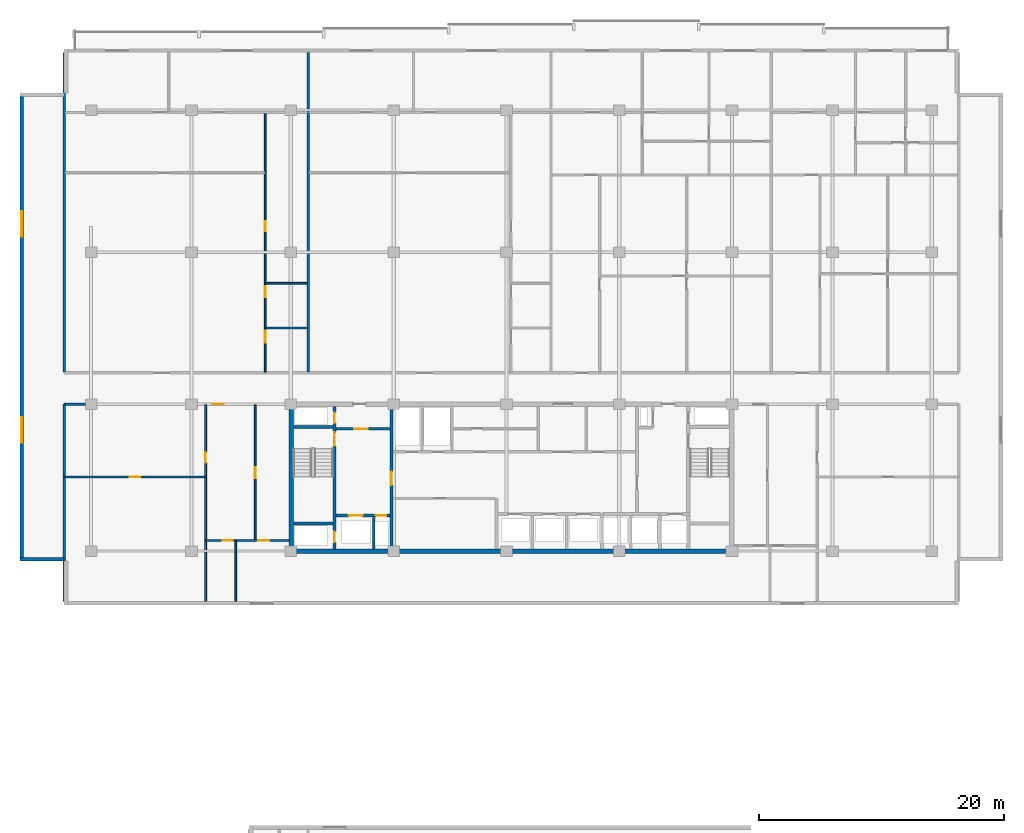
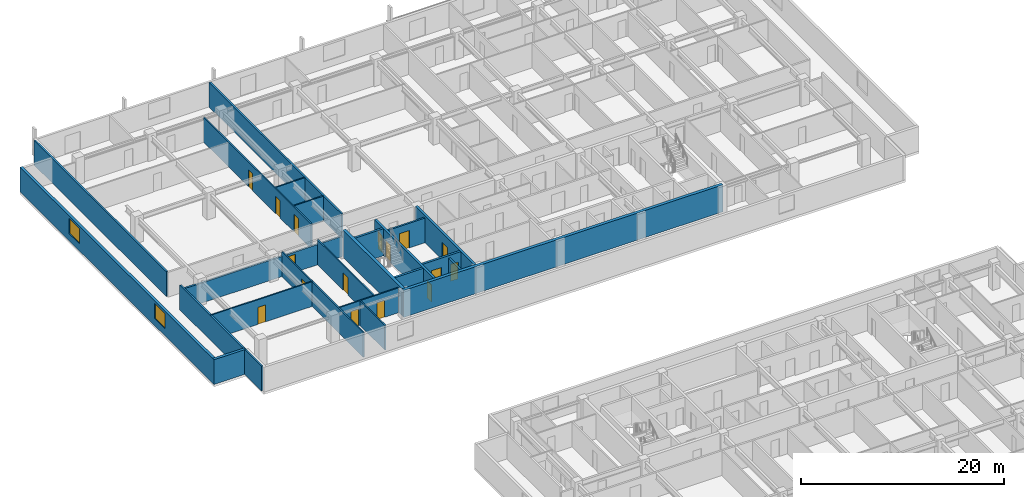
# One storey, part 10 of 21: 23 walls, 16 doors, 2 windows, 18 openings.
"""IFC4 building model written with IfcOpenShell, lengths in metres."""

from ifc_helpers import new_model, si_unit, direction, frame, frame_2d, origin, place, context, subcontext, project, spatial, rectangle, extrude, material, layer, layer_set, type_object, element, fill, save


model = new_model("IFC4")

# Units and contexts
model_context = context("Model", 3, precision=1e-05, world=origin(), true_north=direction((0.0, 1.0)))
body_context = subcontext(model_context, "Body", "Model", "MODEL_VIEW")
ifc_project = project(units=[si_unit("LENGTHUNIT", "METRE"), si_unit("AREAUNIT", "SQUARE_METRE"), si_unit("VOLUMEUNIT", "CUBIC_METRE"), si_unit("PLANEANGLEUNIT", "RADIAN"), si_unit("MASSUNIT", "GRAM", prefix="KILO")], contexts=[model_context])

# Site, building, storey
site_placement = place(None, origin())
site = spatial("IfcSite", under=ifc_project, at=site_placement, CompositionType="ELEMENT")
building_placement = place(site_placement, origin())
building = spatial("IfcBuilding", under=site, at=building_placement, Name="Korimba Cascade Residences", CompositionType="ELEMENT")
storey_placement = place(building_placement, frame((0.0, 0.0, 123.050048828125)))
storey = spatial("IfcBuildingStorey", under=building, at=storey_placement, Name="L35", CompositionType="ELEMENT", Elevation=123.050048828125)

# Wall, openings, windows
ifc_material_1 = material(Name="Precast concrete C40/50", Category="concrete")
ifc_layer_1 = layer(ifc_material_1, 0.300048828125)
ifc_layer_set_1 = layer_set([ifc_layer_1], Name="Precast concrete C40/50")
wall_type_1 = type_object("IfcWallType", Name="EW-STONE-300", PredefinedType="STANDARD", material=ifc_layer_set_1)
wall_1_placement = place(storey_placement, frame((54.14990234375, 92.60009765625, 0.0), z_axis=(0.0, 0.0, 1.0), x_axis=(0.0, -1.0, 0.0)))
wall_1 = element("IfcWall", 1, at=wall_1_placement, inside=storey, type_object=wall_type_1, Name="L35 T1 Perimeter Stone Wall E09", PredefinedType="STANDARD", context=body_context, shape_type="SweptSolid", body=[
    extrude(rectangle(XDim=38.2001953125, YDim=0.300048828125, at=frame_2d((19.10009765625, 0.0))), origin(), (0.0, 0.0, 1.0), 2.969970703125),
])
opening_1_placement = place(wall_1_placement, frame((9.64599609375, 0.0, 0.85009765625)))
opening_1 = element("IfcOpeningElement", 2, at=opening_1_placement, cuts=wall_1, Name="Opening W-03", PredefinedType="OPENING", context=body_context, shape_type="SweptSolid", body=[
    extrude(rectangle(XDim=2.10009765625, YDim=1.85009765625, at=frame_2d((1.050048828125, 0.925048828125))), frame((0.0, 0.16015625, 0.0), z_axis=(0.0, -1.0, 0.0), x_axis=(1.0, 0.0, 0.0)), (0.0, 0.0, 1.0), 0.320068359375),
])
opening_2_placement = place(wall_1_placement, frame((26.4541015625, 0.0, 0.85009765625)))
opening_2 = element("IfcOpeningElement", 3, at=opening_2_placement, cuts=wall_1, Name="Opening W-03", PredefinedType="OPENING", context=body_context, shape_type="SweptSolid", body=[
    extrude(rectangle(XDim=2.10009765625, YDim=1.85009765625, at=frame_2d((1.050048828125, 0.925048828125))), frame((0.0, 0.16015625, 0.0), z_axis=(0.0, -1.0, 0.0), x_axis=(1.0, 0.0, 0.0)), (0.0, 0.0, 1.0), 0.320068359375),
])
ifc_material_2 = material(Name="Double-Glazed Aluminium Window", Category="aluminium")
window_type = type_object("IfcWindowType", Name="WIN-CRN-2100", PartitioningType="DOUBLE_PANEL_HORIZONTAL", PredefinedType="WINDOW", material=ifc_material_2)
window_1_placement = place(opening_1_placement, origin())
window_1 = element("IfcWindow", 4, at=window_1_placement, inside=storey, type_object=window_type, Name="L35 T1 End View Window 9.1", OverallHeight=1.85009765625, OverallWidth=2.10009765625, PartitioningType="DOUBLE_PANEL_HORIZONTAL", PredefinedType="WINDOW", context=body_context, shape_type="SweptSolid", body=[
    extrude(rectangle(XDim=2.10009765625, YDim=1.85009765625, at=frame_2d((1.050048828125, 0.925048828125))), frame((0.0, 0.030029296875, 0.0), z_axis=(0.0, -1.0, 0.0), x_axis=(1.0, 0.0, 0.0)), (0.0, 0.0, 1.0), 0.06005859375),
])
fill(opening_1, window_1)
window_2_placement = place(opening_2_placement, origin())
window_2 = element("IfcWindow", 5, at=window_2_placement, inside=storey, type_object=window_type, Name="L35 T1 End View Window 9.2", OverallHeight=1.85009765625, OverallWidth=2.10009765625, PartitioningType="DOUBLE_PANEL_HORIZONTAL", PredefinedType="WINDOW", context=body_context, shape_type="SweptSolid", body=[
    extrude(rectangle(XDim=2.10009765625, YDim=1.85009765625, at=frame_2d((1.050048828125, 0.925048828125))), frame((0.0, 0.030029296875, 0.0), z_axis=(0.0, -1.0, 0.0), x_axis=(1.0, 0.0, 0.0)), (0.0, 0.0, 1.0), 0.06005859375),
])
fill(opening_2, window_2)

# Walls
wall_2_placement = place(storey_placement, frame((54.0, 54.550048828125, 0.0), z_axis=(0.0, 0.0, 1.0), x_axis=(1.0, 0.0, 0.0)))
element("IfcWall", 6, at=wall_2_placement, inside=storey, type_object=wall_type_1, Name="L35 T1 Perimeter Stone Wall E10", PredefinedType="STANDARD", context=body_context, shape_type="SweptSolid", body=[
    extrude(rectangle(XDim=3.60009765625, YDim=0.300048828125, at=frame_2d((1.800048828125, 0.0))), origin(), (0.0, 0.0, 1.0), 2.969970703125),
])
ifc_material_3 = material(Name="Concrete C65/80", Category="concrete")
ifc_layer_2 = layer(ifc_material_3, 0.35009765625)
ifc_layer_set_2 = layer_set([ifc_layer_2], Name="Concrete C65/80")
wall_type_2 = type_object("IfcWallType", Name="WAL-CORE-350", PredefinedType="SHEAR", material=ifc_layer_set_2)
wall_3_placement = place(storey_placement, frame((75.949951171875, 55.199951171875, 0.0), z_axis=(0.0, 0.0, 1.0), x_axis=(1.0, 0.0, 0.0)))
element("IfcWall", 7, at=wall_3_placement, inside=storey, type_object=wall_type_2, Name="L35 Core Shear Wall CW-L35-T1-S", PredefinedType="SHEAR", context=body_context, shape_type="SweptSolid", body=[
    extrude(rectangle(XDim=36.300048828125, YDim=0.35009765625, at=frame_2d((18.14990234375, 0.0))), origin(), (0.0, 0.0, 1.0), 3.25),
])
wall_4_placement = place(storey_placement, frame((76.125, 55.375, 0.0), z_axis=(0.0, 0.0, 1.0), x_axis=(0.0, 1.0, 0.0)))
element("IfcWall", 8, at=wall_4_placement, inside=storey, type_object=wall_type_2, Name="L35 Core Shear Wall CW-L35-T1-W", PredefinedType="SHEAR", context=body_context, shape_type="SweptSolid", body=[
    extrude(rectangle(XDim=11.64990234375, YDim=0.35009765625, at=frame_2d((5.824951171875, 0.0))), origin(), (0.0, 0.0, 1.0), 3.25),
])
ifc_layer_3 = layer(ifc_material_1, 0.199951171875)
ifc_layer_set_3 = layer_set([ifc_layer_3], Name="Precast concrete C40/50")
wall_type_3 = type_object("IfcWallType", Name="WAL-IT-200", PredefinedType="PARTITIONING", material=ifc_layer_set_3)
wall_5_placement = place(storey_placement, frame((57.60009765625, 51.10009765625, 0.0), z_axis=(0.0, 0.0, 1.0), x_axis=(0.0, 1.0, 0.0)))
element("IfcWall", 9, at=wall_5_placement, inside=storey, type_object=wall_type_3, Name="L35 Partition Wall WAL-L35-T1-FW-WL", PredefinedType="PARTITIONING", context=body_context, shape_type="SweptSolid", body=[
    extrude(rectangle(XDim=16.099853515625, YDim=0.199951171875, at=frame_2d((8.0498046875, 0.0))), origin(), (0.0, 0.0, 1.0), 2.969970703125),
])

# Wall, opening, door
wall_6_placement = place(storey_placement, frame((57.60009765625, 67.199951171875, 0.0), z_axis=(0.0, 0.0, 1.0), x_axis=(1.0, 0.0, 0.0)))
wall_6 = element("IfcWall", 10, at=wall_6_placement, inside=storey, type_object=wall_type_3, Name="L35 Partition Wall WAL-L35-T1-FW-N", PredefinedType="PARTITIONING", context=body_context, shape_type="SweptSolid", body=[
    extrude(rectangle(XDim=18.349853515625, YDim=0.199951171875, at=frame_2d((9.1748046875, 0.0))), origin(), (0.0, 0.0, 1.0), 2.433349609375),
])
opening_3_placement = place(wall_6_placement, frame((12.07470703125, 0.0, 0.0)))
opening_3 = element("IfcOpeningElement", 11, at=opening_3_placement, cuts=wall_6, Name="Opening D-UN1", PredefinedType="OPENING", context=body_context, shape_type="SweptSolid", body=[
    extrude(rectangle(XDim=0.949951171875, YDim=2.14990234375, at=frame_2d((0.47509765625, 1.074951171875))), frame((0.0, 0.10986328125, 0.0), z_axis=(0.0, -1.0, 0.0), x_axis=(1.0, 0.0, 0.0)), (0.0, 0.0, 1.0), 0.219970703125),
])
ifc_material_4 = material(Name="Fire-Rated Hardwood Apartment Entrance Door", Category="wood")
door_type_1 = type_object("IfcDoorType", Name="DR-FD60-950", OperationType="NOTDEFINED", PredefinedType="DOOR", material=ifc_material_4)
door_1_placement = place(opening_3_placement, origin())
door_1 = element("IfcDoor", 12, at=door_1_placement, inside=storey, type_object=door_type_1, Name="L35-T1-FW Entrance Door", OperationType="SINGLE_SWING_RIGHT", OverallHeight=2.14990234375, OverallWidth=0.949951171875, PredefinedType="DOOR", context=body_context, shape_type="SweptSolid", body=[
    extrude(rectangle(XDim=0.949951171875, YDim=2.14990234375, at=frame_2d((0.47509765625, 1.074951171875))), frame((0.0, 0.02490234375, 0.0), z_axis=(0.0, -1.0, 0.0), x_axis=(1.0, 0.0, 0.0)), (0.0, 0.0, 1.0), 0.050048828125),
])
fill(opening_3, door_1)

# Walls
for number, where, z_axis, x_axis, name in (
    (13, (57.60009765625, 69.830078125, 0.0), (0.0, 0.0, 1.0), (0.0, 1.0, 0.0), "L35 Partition Wall WAL-L35-T1-BNDWL"),
    (14, (77.510498046875, 69.830078125, 0.0), (0.0, 0.0, 1.0), (0.0, 1.0, 0.0), "L35 Partition Wall WAL-L35-T1-DEM-1"),
):
    element("IfcWall", number, at=place(storey_placement, frame(where, z_axis=z_axis, x_axis=x_axis)), inside=storey, type_object=wall_type_3, Name=name, PredefinedType="PARTITIONING", context=body_context, shape_type="SweptSolid", body=[
        extrude(rectangle(XDim=26.06982421875, YDim=0.199951171875, at=frame_2d((13.034912109375, 0.0))), origin(), (0.0, 0.0, 1.0), 2.969970703125),
    ])

# Wall, opening, door
ifc_material_5 = material(Name="Insulated Acoustic Stud Partition", Category="gypsum")
ifc_layer_4 = layer(ifc_material_5, 0.14990234375)
ifc_layer_set_4 = layer_set([ifc_layer_4], Name="Insulated Acoustic Stud Partition")
wall_type_4 = type_object("IfcWallType", Name="WAL-PART-150", PredefinedType="PARTITIONING", material=ifc_layer_set_4)
wall_7_placement = place(storey_placement, frame((57.60009765625, 61.25, 0.0), z_axis=(0.0, 0.0, 1.0), x_axis=(1.0, 0.0, 0.0)))
wall_7 = element("IfcWall", 15, at=wall_7_placement, inside=storey, type_object=wall_type_4, Name="L35 Partition Wall WAL-L35-T1-FW-STH", PredefinedType="PARTITIONING", context=body_context, shape_type="SweptSolid", body=[
    extrude(rectangle(XDim=11.5498046875, YDim=0.14990234375, at=frame_2d((5.77490234375, 0.0))), origin(), (0.0, 0.0, 1.0), 2.969970703125),
])
opening_4_placement = place(wall_7_placement, frame((5.35498046875, 0.0, 0.0)))
opening_4 = element("IfcOpeningElement", 16, at=opening_4_placement, cuts=wall_7, Name="Opening D-BT1", PredefinedType="OPENING", context=body_context, shape_type="SweptSolid", body=[
    extrude(rectangle(XDim=0.840087890625, YDim=2.0400390625, at=frame_2d((0.419921875, 1.02001953125))), frame((0.0, 0.0849609375, 0.0), z_axis=(0.0, -1.0, 0.0), x_axis=(1.0, 0.0, 0.0)), (0.0, 0.0, 1.0), 0.169921875),
])
ifc_material_6 = material(Name="Moisture-Resistant Bathroom Timber Door", Category="wood")
door_type_2 = type_object("IfcDoorType", Name="DR-INT-850", OperationType="NOTDEFINED", PredefinedType="DOOR", material=ifc_material_6)
door_2_placement = place(opening_4_placement, origin())
door_2 = element("IfcDoor", 17, at=door_2_placement, inside=storey, type_object=door_type_2, Name="L35-T1-FW Dressing Store Door", OperationType="SINGLE_SWING_LEFT", OverallHeight=2.0400390625, OverallWidth=0.840087890625, PredefinedType="DOOR", context=body_context, shape_type="SweptSolid", body=[
    extrude(rectangle(XDim=0.840087890625, YDim=2.0400390625, at=frame_2d((0.419921875, 1.02001953125))), frame((0.0, 0.02490234375, 0.0), z_axis=(0.0, -1.0, 0.0), x_axis=(1.0, 0.0, 0.0)), (0.0, 0.0, 1.0), 0.050048828125),
])
fill(opening_4, door_2)

wall_8_placement = place(storey_placement, frame((69.14990234375, 51.10009765625, 0.0), z_axis=(0.0, 0.0, 1.0), x_axis=(0.0, 1.0, 0.0)))
wall_8 = element("IfcWall", 18, at=wall_8_placement, inside=storey, type_object=wall_type_4, Name="L35 Partition Wall WAL-L35-T1-FW-STV", PredefinedType="PARTITIONING", context=body_context, shape_type="SweptSolid", body=[
    extrude(rectangle(XDim=16.0498046875, YDim=0.14990234375, at=frame_2d((8.02490234375, 0.0))), origin(), (0.0, 0.0, 1.0), 2.969970703125),
])
opening_5_placement = place(wall_8_placement, frame((11.300048828125, 0.0, 0.0)))
opening_5 = element("IfcOpeningElement", 19, at=opening_5_placement, cuts=wall_8, Name="Opening D-IN2", PredefinedType="OPENING", context=body_context, shape_type="SweptSolid", body=[
    extrude(rectangle(XDim=0.8798828125, YDim=2.06005859375, at=frame_2d((0.43994140625, 1.030029296875))), frame((0.0, 0.0849609375, 0.0), z_axis=(0.0, -1.0, 0.0), x_axis=(1.0, 0.0, 0.0)), (0.0, 0.0, 1.0), 0.169921875),
])
ifc_material_7 = material(Name="Acoustic Timber Bedroom Door", Category="wood")
door_type_3 = type_object("IfcDoorType", Name="DR-INT-880", OperationType="NOTDEFINED", PredefinedType="DOOR", material=ifc_material_7)
door_3_placement = place(opening_5_placement, origin())
door_3 = element("IfcDoor", 20, at=door_3_placement, inside=storey, type_object=door_type_3, Name="L35-T1-FW Study Door", OperationType="SINGLE_SWING_RIGHT", OverallHeight=2.06005859375, OverallWidth=0.8798828125, PredefinedType="DOOR", context=body_context, shape_type="SweptSolid", body=[
    extrude(rectangle(XDim=0.8798828125, YDim=2.06005859375, at=frame_2d((0.43994140625, 1.030029296875))), frame((0.0, 0.02490234375, 0.0), z_axis=(0.0, -1.0, 0.0), x_axis=(1.0, 0.0, 0.0)), (0.0, 0.0, 1.0), 0.050048828125),
])
fill(opening_5, door_3)

wall_9_placement = place(storey_placement, frame((73.199951171875, 56.070068359375, 0.0), z_axis=(0.0, 0.0, 1.0), x_axis=(0.0, 1.0, 0.0)))
wall_9 = element("IfcWall", 21, at=wall_9_placement, inside=storey, type_object=wall_type_4, Name="L35 Partition Wall WAL-L35-T1-FW-VN", PredefinedType="PARTITIONING", context=body_context, shape_type="SweptSolid", body=[
    extrude(rectangle(XDim=11.079833984375, YDim=0.14990234375, at=frame_2d((5.5400390625, 0.0))), origin(), (0.0, 0.0, 1.0), 2.969970703125),
])
opening_6_placement = place(wall_9_placement, frame((5.080078125, 0.0, 0.0)))
opening_6 = element("IfcOpeningElement", 22, at=opening_6_placement, cuts=wall_9, Name="Opening D-IN1", PredefinedType="OPENING", context=body_context, shape_type="SweptSolid", body=[
    extrude(rectangle(XDim=0.919921875, YDim=2.080078125, at=frame_2d((0.4599609375, 1.0400390625))), frame((0.0, 0.0849609375, 0.0), z_axis=(0.0, -1.0, 0.0), x_axis=(1.0, 0.0, 0.0)), (0.0, 0.0, 1.0), 0.169921875),
])
ifc_material_8 = material(Name="Acoustic Timber Living Door", Category="wood")
door_type_4 = type_object("IfcDoorType", Name="DR-INT-920", OperationType="NOTDEFINED", PredefinedType="DOOR", material=ifc_material_8)
door_4_placement = place(opening_6_placement, origin())
door_4 = element("IfcDoor", 23, at=door_4_placement, inside=storey, type_object=door_type_4, Name="L35-T1-FW Living Door", OperationType="SINGLE_SWING_LEFT", OverallHeight=2.080078125, OverallWidth=0.919921875, PredefinedType="DOOR", context=body_context, shape_type="SweptSolid", body=[
    extrude(rectangle(XDim=0.919921875, YDim=2.080078125, at=frame_2d((0.4599609375, 1.0400390625))), frame((0.0, 0.02490234375, 0.0), z_axis=(0.0, -1.0, 0.0), x_axis=(1.0, 0.0, 0.0)), (0.0, 0.0, 1.0), 0.050048828125),
])
fill(opening_6, door_4)

# Wall
wall_10_placement = place(storey_placement, frame((71.60009765625, 51.10009765625, 0.0), z_axis=(0.0, 0.0, 1.0), x_axis=(0.0, 1.0, 0.0)))
element("IfcWall", 24, at=wall_10_placement, inside=storey, type_object=wall_type_4, Name="L35 Partition Wall WAL-L35-T1-FW-VS", PredefinedType="PARTITIONING", context=body_context, shape_type="SweptSolid", body=[
    extrude(rectangle(XDim=4.969970703125, YDim=0.14990234375, at=frame_2d((2.48486328125, 0.0))), origin(), (0.0, 0.0, 1.0), 2.969970703125),
])

# Wall, openings, doors
wall_11_placement = place(storey_placement, frame((69.169921875, 56.070068359375, 0.0), z_axis=(0.0, 0.0, 1.0), x_axis=(1.0, 0.0, 0.0)))
wall_11 = element("IfcWall", 25, at=wall_11_placement, inside=storey, type_object=wall_type_4, Name="L35 Partition Wall WAL-L35-T1-FW-H", PredefinedType="PARTITIONING", context=body_context, shape_type="SweptSolid", body=[
    extrude(rectangle(XDim=6.760009765625, YDim=0.14990234375, at=frame_2d((3.3798828125, 0.0))), origin(), (0.0, 0.0, 1.0), 2.969970703125),
])
opening_7_placement = place(wall_11_placement, frame((1.3623046875, 0.0, 0.0)))
opening_7 = element("IfcOpeningElement", 26, at=opening_7_placement, cuts=wall_11, Name="Opening D-BT1", PredefinedType="OPENING", context=body_context, shape_type="SweptSolid", body=[
    extrude(rectangle(XDim=0.840087890625, YDim=2.0400390625, at=frame_2d((0.419921875, 1.02001953125))), frame((0.0, 0.0849609375, 0.0), z_axis=(0.0, -1.0, 0.0), x_axis=(1.0, 0.0, 0.0)), (0.0, 0.0, 1.0), 0.169921875),
])
opening_8_placement = place(wall_11_placement, frame((4.276611328125, 0.0, 0.0)))
opening_8 = element("IfcOpeningElement", 27, at=opening_8_placement, cuts=wall_11, Name="Opening D-IN2", PredefinedType="OPENING", context=body_context, shape_type="SweptSolid", body=[
    extrude(rectangle(XDim=0.8798828125, YDim=2.06005859375, at=frame_2d((0.43994140625, 1.030029296875))), frame((0.0, 0.0849609375, 0.0), z_axis=(0.0, -1.0, 0.0), x_axis=(1.0, 0.0, 0.0)), (0.0, 0.0, 1.0), 0.169921875),
])
door_5_placement = place(opening_7_placement, origin())
door_5 = element("IfcDoor", 28, at=door_5_placement, inside=storey, type_object=door_type_2, Name="L35-T1-FW Bathroom Door", OperationType="SINGLE_SWING_RIGHT", OverallHeight=2.0400390625, OverallWidth=0.840087890625, PredefinedType="DOOR", context=body_context, shape_type="SweptSolid", body=[
    extrude(rectangle(XDim=0.840087890625, YDim=2.0400390625, at=frame_2d((0.419921875, 1.02001953125))), frame((0.0, 0.02490234375, 0.0), z_axis=(0.0, -1.0, 0.0), x_axis=(1.0, 0.0, 0.0)), (0.0, 0.0, 1.0), 0.050048828125),
])
fill(opening_7, door_5)
door_6_placement = place(opening_8_placement, origin())
door_6 = element("IfcDoor", 29, at=door_6_placement, inside=storey, type_object=door_type_3, Name="L35-T1-FW Bedroom Door", OperationType="SINGLE_SWING_LEFT", OverallHeight=2.06005859375, OverallWidth=0.8798828125, PredefinedType="DOOR", context=body_context, shape_type="SweptSolid", body=[
    extrude(rectangle(XDim=0.8798828125, YDim=2.06005859375, at=frame_2d((0.43994140625, 1.030029296875))), frame((0.0, 0.02490234375, 0.0), z_axis=(0.0, -1.0, 0.0), x_axis=(1.0, 0.0, 0.0)), (0.0, 0.0, 1.0), 0.050048828125),
])
fill(opening_8, door_6)

# Walls
for number, where, z_axis, x_axis, name in (
    (30, (74.070556640625, 73.419921875, 0.0), (0.0, 0.0, 1.0), (1.0, 0.0, 0.0), "L35 Partition Wall WAL-L35-T1-U01-WCH"),
    (31, (74.070556640625, 77.070068359375, 0.0), (0.0, 0.0, 1.0), (1.0, 0.0, 0.0), "L35 Partition Wall WAL-L35-T1-U01-WCH2"),
):
    element("IfcWall", number, at=place(storey_placement, frame(where, z_axis=z_axis, x_axis=x_axis)), inside=storey, type_object=wall_type_4, Name=name, PredefinedType="PARTITIONING", context=body_context, shape_type="SweptSolid", body=[
        extrude(rectangle(XDim=3.35986328125, YDim=0.14990234375, at=frame_2d((1.679931640625, 0.0))), origin(), (0.0, 0.0, 1.0), 2.969970703125),
    ])

# Wall, openings, doors
wall_12_placement = place(storey_placement, frame((74.010498046875, 69.81005859375, 0.0), z_axis=(0.0, 0.0, 1.0), x_axis=(0.0, 1.0, 0.0)))
wall_12 = element("IfcWall", 32, at=wall_12_placement, inside=storey, type_object=wall_type_4, Name="L35 Partition Wall WAL-L35-T1-U01-WCV", PredefinedType="PARTITIONING", context=body_context, shape_type="SweptSolid", body=[
    extrude(rectangle(XDim=21.1298828125, YDim=0.14990234375, at=frame_2d((10.56494140625, 0.0))), origin(), (0.0, 0.0, 1.0), 2.969970703125),
])
opening_9_placement = place(wall_12_placement, frame((2.406005859375, 0.0, 0.0)))
opening_9 = element("IfcOpeningElement", 33, at=opening_9_placement, cuts=wall_12, Name="Opening D-AC1", PredefinedType="OPENING", context=body_context, shape_type="SweptSolid", body=[
    extrude(rectangle(XDim=0.9599609375, YDim=2.10009765625, at=frame_2d((0.47998046875, 1.050048828125))), frame((0.0, 0.0849609375, 0.0), z_axis=(0.0, -1.0, 0.0), x_axis=(1.0, 0.0, 0.0)), (0.0, 0.0, 1.0), 0.169921875),
])
opening_10_placement = place(wall_12_placement, frame((6.132568359375, 0.0, 0.0)))
opening_10 = element("IfcOpeningElement", 34, at=opening_10_placement, cuts=wall_12, Name="Opening D-IN2", PredefinedType="OPENING", context=body_context, shape_type="SweptSolid", body=[
    extrude(rectangle(XDim=0.8798828125, YDim=2.06005859375, at=frame_2d((0.43994140625, 1.030029296875))), frame((0.0, 0.0849609375, 0.0), z_axis=(0.0, -1.0, 0.0), x_axis=(1.0, 0.0, 0.0)), (0.0, 0.0, 1.0), 0.169921875),
])
opening_11_placement = place(wall_12_placement, frame((11.482421875, 0.0, 0.0)))
opening_11 = element("IfcOpeningElement", 35, at=opening_11_placement, cuts=wall_12, Name="Opening D-BT1", PredefinedType="OPENING", context=body_context, shape_type="SweptSolid", body=[
    extrude(rectangle(XDim=0.840087890625, YDim=2.0400390625, at=frame_2d((0.419921875, 1.02001953125))), frame((0.0, 0.0849609375, 0.0), z_axis=(0.0, -1.0, 0.0), x_axis=(1.0, 0.0, 0.0)), (0.0, 0.0, 1.0), 0.169921875),
])
ifc_material_9 = material(Name="Accessible Acoustic Timber WC Door", Category="wood")
door_type_5 = type_object("IfcDoorType", Name="DR-ACC-950", OperationType="NOTDEFINED", PredefinedType="DOOR", material=ifc_material_9)
door_7_placement = place(opening_9_placement, origin())
door_7 = element("IfcDoor", 36, at=door_7_placement, inside=storey, type_object=door_type_5, Name="L35-T1-U01 Accessible WC Door", OperationType="SINGLE_SWING_RIGHT", OverallHeight=2.10009765625, OverallWidth=0.9599609375, PredefinedType="DOOR", context=body_context, shape_type="SweptSolid", body=[
    extrude(rectangle(XDim=0.9599609375, YDim=2.10009765625, at=frame_2d((0.47998046875, 1.050048828125))), frame((0.0, 0.02490234375, 0.0), z_axis=(0.0, -1.0, 0.0), x_axis=(1.0, 0.0, 0.0)), (0.0, 0.0, 1.0), 0.050048828125),
])
fill(opening_9, door_7)
door_8_placement = place(opening_11_placement, origin())
door_8 = element("IfcDoor", 37, at=door_8_placement, inside=storey, type_object=door_type_2, Name="L35-T1-U01 Suite Store Door", OperationType="SINGLE_SWING_RIGHT", OverallHeight=2.0400390625, OverallWidth=0.840087890625, PredefinedType="DOOR", context=body_context, shape_type="SweptSolid", body=[
    extrude(rectangle(XDim=0.840087890625, YDim=2.0400390625, at=frame_2d((0.419921875, 1.02001953125))), frame((0.0, 0.02490234375, 0.0), z_axis=(0.0, -1.0, 0.0), x_axis=(1.0, 0.0, 0.0)), (0.0, 0.0, 1.0), 0.050048828125),
])
fill(opening_11, door_8)
door_9_placement = place(opening_10_placement, origin())
door_9 = element("IfcDoor", 38, at=door_9_placement, inside=storey, type_object=door_type_3, Name="L35-T1-U01 Restroom WC Door", OperationType="SINGLE_SWING_LEFT", OverallHeight=2.06005859375, OverallWidth=0.8798828125, PredefinedType="DOOR", context=body_context, shape_type="SweptSolid", body=[
    extrude(rectangle(XDim=0.8798828125, YDim=2.06005859375, at=frame_2d((0.43994140625, 1.030029296875))), frame((0.0, 0.02490234375, 0.0), z_axis=(0.0, -1.0, 0.0), x_axis=(1.0, 0.0, 0.0)), (0.0, 0.0, 1.0), 0.050048828125),
])
fill(opening_10, door_9)

# Wall
ifc_material_10 = material(Name="Concrete C40/50", Category="concrete")
ifc_layer_5 = layer(ifc_material_10, 0.199951171875)
ifc_layer_set_5 = layer_set([ifc_layer_5], Name="Concrete C40/50")
wall_type_5 = type_object("IfcWallType", Name="WAL-PART-200", PredefinedType="PARTITIONING", material=ifc_layer_set_5)
wall_13_placement = place(storey_placement, frame((82.85009765625, 55.39990234375, 0.0), z_axis=(0.0, 0.0, 1.0), x_axis=(0.0, 1.0, 0.0)))
element("IfcWall", 39, at=wall_13_placement, inside=storey, type_object=wall_type_5, Name="L35 Partition Wall CW-L35-T1-FFLDIV", PredefinedType="PARTITIONING", context=body_context, shape_type="SweptSolid", body=[
    extrude(rectangle(XDim=2.56005859375, YDim=0.199951171875, at=frame_2d((1.280029296875, 0.0))), origin(), (0.0, 0.0, 1.0), 2.969970703125),
])

# Wall, opening, door
wall_14_placement = place(storey_placement, frame((79.7900390625, 65.179931640625, 0.0), z_axis=(0.0, 0.0, 1.0), x_axis=(1.0, 0.0, 0.0)))
wall_14 = element("IfcWall", 40, at=wall_14_placement, inside=storey, type_object=wall_type_5, Name="L35 Partition Wall CW-L35-T1-FFLN", PredefinedType="PARTITIONING", context=body_context, shape_type="SweptSolid", body=[
    extrude(rectangle(XDim=4.389892578125, YDim=0.199951171875, at=frame_2d((2.19482421875, 0.0))), origin(), (0.0, 0.0, 1.0), 2.969970703125),
])
opening_12_placement = place(wall_14_placement, frame((1.5, 0.0, 0.0)))
opening_12 = element("IfcOpeningElement", 41, at=opening_12_placement, cuts=wall_14, Name="Opening D-FD1", PredefinedType="OPENING", context=body_context, shape_type="SweptSolid", body=[
    extrude(rectangle(XDim=1.10009765625, YDim=2.10009765625, at=frame_2d((0.550048828125, 1.050048828125))), frame((0.0, 0.10986328125, 0.0), z_axis=(0.0, -1.0, 0.0), x_axis=(1.0, 0.0, 0.0)), (0.0, 0.0, 1.0), 0.219970703125),
])
ifc_material_11 = material(Name="Fire-Rated Steel Core Door", Category="steel")
door_type_6 = type_object("IfcDoorType", Name="DR-FD120-1100", OperationType="NOTDEFINED", PredefinedType="DOOR", material=ifc_material_11)
door_10_placement = place(opening_12_placement, origin())
door_10 = element("IfcDoor", 42, at=door_10_placement, inside=storey, type_object=door_type_6, Name="L35 West Firefighting Lobby Door", OperationType="SINGLE_SWING_LEFT", OverallHeight=2.10009765625, OverallWidth=1.10009765625, PredefinedType="DOOR", context=body_context, shape_type="SweptSolid", body=[
    extrude(rectangle(XDim=1.10009765625, YDim=2.10009765625, at=frame_2d((0.550048828125, 1.050048828125))), frame((0.0, 0.02490234375, 0.0), z_axis=(0.0, -1.0, 0.0), x_axis=(1.0, 0.0, 0.0)), (0.0, 0.0, 1.0), 0.050048828125),
])
fill(opening_12, door_10)

# Wall, openings, doors
ifc_material_12 = material(Name="Concrete C50/60", Category="concrete")
ifc_layer_6 = layer(ifc_material_12, 0.25)
ifc_layer_set_6 = layer_set([ifc_layer_6], Name="Concrete C50/60")
wall_type_6 = type_object("IfcWallType", Name="WAL-SHAFT-250", PredefinedType="SHEAR", material=ifc_layer_set_6)
wall_15_placement = place(storey_placement, frame((79.6650390625, 55.39990234375, 0.0), z_axis=(0.0, 0.0, 1.0), x_axis=(0.0, 1.0, 0.0)))
wall_15 = element("IfcWall", 43, at=wall_15_placement, inside=storey, type_object=wall_type_6, Name="L35 Core Shear Wall CW-L35-T1-STW1E", PredefinedType="SHEAR", context=body_context, shape_type="SweptSolid", body=[
    extrude(rectangle(XDim=11.60009765625, YDim=0.25, at=frame_2d((5.800048828125, 0.0))), origin(), (0.0, 0.0, 1.0), 3.25),
])
opening_13_placement = place(wall_15_placement, frame((0.550048828125, 0.0, 0.0)))
opening_13 = element("IfcOpeningElement", 44, at=opening_13_placement, cuts=wall_15, Name="Opening D-RS1", PredefinedType="OPENING", context=body_context, shape_type="SweptSolid", body=[
    extrude(rectangle(XDim=0.85009765625, YDim=2.050048828125, at=frame_2d((0.425048828125, 1.02490234375))), frame((0.0, 0.135009765625, 0.0), z_axis=(0.0, -1.0, 0.0), x_axis=(1.0, 0.0, 0.0)), (0.0, 0.0, 1.0), 0.27001953125),
])
opening_14_placement = place(wall_15_placement, frame((8.39990234375, 0.0, 0.0)))
opening_14 = element("IfcOpeningElement", 45, at=opening_14_placement, cuts=wall_15, Name="Opening D-FD1", PredefinedType="OPENING", context=body_context, shape_type="SweptSolid", body=[
    extrude(rectangle(XDim=1.10009765625, YDim=2.10009765625, at=frame_2d((0.550048828125, 1.050048828125))), frame((0.0, 0.135009765625, 0.0), z_axis=(0.0, -1.0, 0.0), x_axis=(1.0, 0.0, 0.0)), (0.0, 0.0, 1.0), 0.27001953125),
])
opening_15_placement = place(wall_15_placement, frame((10.25, 0.0, 0.0)))
opening_15 = element("IfcOpeningElement", 46, at=opening_15_placement, cuts=wall_15, Name="Opening D-RS1", PredefinedType="OPENING", context=body_context, shape_type="SweptSolid", body=[
    extrude(rectangle(XDim=0.85009765625, YDim=2.050048828125, at=frame_2d((0.425048828125, 1.02490234375))), frame((0.0, 0.135009765625, 0.0), z_axis=(0.0, -1.0, 0.0), x_axis=(1.0, 0.0, 0.0)), (0.0, 0.0, 1.0), 0.27001953125),
])
door_11_placement = place(opening_14_placement, origin())
door_11 = element("IfcDoor", 47, at=door_11_placement, inside=storey, type_object=door_type_6, Name="L35 Fire Stair ST-W1 Door", OperationType="SINGLE_SWING_RIGHT", OverallHeight=2.10009765625, OverallWidth=1.10009765625, PredefinedType="DOOR", context=body_context, shape_type="SweptSolid", body=[
    extrude(rectangle(XDim=1.10009765625, YDim=2.10009765625, at=frame_2d((0.550048828125, 1.050048828125))), frame((0.0, 0.02490234375, 0.0), z_axis=(0.0, -1.0, 0.0), x_axis=(1.0, 0.0, 0.0)), (0.0, 0.0, 1.0), 0.050048828125),
])
fill(opening_14, door_11)
ifc_material_13 = material(Name="Fire-Rated Steel Riser Access Door", Category="steel")
door_type_7 = type_object("IfcDoorType", Name="DR-FD60-850", OperationType="NOTDEFINED", PredefinedType="DOOR", material=ifc_material_13)
door_12_placement = place(opening_13_placement, origin())
door_12 = element("IfcDoor", 48, at=door_12_placement, inside=storey, type_object=door_type_7, Name="L35 Smoke Riser Access Door", OperationType="SINGLE_SWING_LEFT", OverallHeight=2.050048828125, OverallWidth=0.85009765625, PredefinedType="DOOR", context=body_context, shape_type="SweptSolid", body=[
    extrude(rectangle(XDim=0.85009765625, YDim=2.050048828125, at=frame_2d((0.425048828125, 1.02490234375))), frame((0.0, 0.02490234375, 0.0), z_axis=(0.0, -1.0, 0.0), x_axis=(1.0, 0.0, 0.0)), (0.0, 0.0, 1.0), 0.050048828125),
])
fill(opening_13, door_12)
door_13_placement = place(opening_15_placement, origin())
door_13 = element("IfcDoor", 49, at=door_13_placement, inside=storey, type_object=door_type_7, Name="L35 Hydrant Riser Access Door", OperationType="SINGLE_SWING_LEFT", OverallHeight=2.050048828125, OverallWidth=0.85009765625, PredefinedType="DOOR", context=body_context, shape_type="SweptSolid", body=[
    extrude(rectangle(XDim=0.85009765625, YDim=2.050048828125, at=frame_2d((0.425048828125, 1.02490234375))), frame((0.0, 0.02490234375, 0.0), z_axis=(0.0, -1.0, 0.0), x_axis=(1.0, 0.0, 0.0)), (0.0, 0.0, 1.0), 0.050048828125),
])
fill(opening_15, door_13)

# Walls
for number, where, z_axis, x_axis, name in (
    (50, (76.300048828125, 57.47509765625, 0.0), (0.0, 0.0, 1.0), (1.0, 0.0, 0.0), "L35 Core Shear Wall CW-L35-T1-STW1S"),
    (51, (76.300048828125, 65.324951171875, 0.0), (0.0, 0.0, 1.0), (1.0, 0.0, 0.0), "L35 Core Shear Wall CW-L35-T1-STW1N"),
):
    element("IfcWall", number, at=place(storey_placement, frame(where, z_axis=z_axis, x_axis=x_axis)), inside=storey, type_object=wall_type_6, Name=name, PredefinedType="SHEAR", context=body_context, shape_type="SweptSolid", body=[
        extrude(rectangle(XDim=3.239990234375, YDim=0.25, at=frame_2d((1.6201171875, 0.0))), origin(), (0.0, 0.0, 1.0), 3.25),
    ])

# Wall, openings, doors
wall_16_placement = place(storey_placement, frame((79.7900390625, 58.10009765625, 0.0), z_axis=(0.0, 0.0, 1.0), x_axis=(1.0, 0.0, 0.0)))
wall_16 = element("IfcWall", 52, at=wall_16_placement, inside=storey, type_object=wall_type_6, Name="L35 Core Shear Wall CW-L35-T1-FFLS", PredefinedType="SHEAR", context=body_context, shape_type="SweptSolid", body=[
    extrude(rectangle(XDim=4.389892578125, YDim=0.25, at=frame_2d((2.19482421875, 0.0))), origin(), (0.0, 0.0, 1.0), 3.25),
])
opening_16_placement = place(wall_16_placement, frame((1.050048828125, 0.0, 0.0)))
opening_16 = element("IfcOpeningElement", 53, at=opening_16_placement, cuts=wall_16, Name="Opening LD-01", PredefinedType="OPENING", context=body_context, shape_type="SweptSolid", body=[
    extrude(rectangle(XDim=1.1201171875, YDim=2.1201171875, at=frame_2d((0.56005859375, 1.06005859375))), frame((0.0, 0.135009765625, 0.0), z_axis=(0.0, -1.0, 0.0), x_axis=(1.0, 0.0, 0.0)), (0.0, 0.0, 1.0), 0.27001953125),
])
opening_17_placement = place(wall_16_placement, frame((3.260009765625, 0.0, 0.0)))
opening_17 = element("IfcOpeningElement", 54, at=opening_17_placement, cuts=wall_16, Name="Opening D-RS1", PredefinedType="OPENING", context=body_context, shape_type="SweptSolid", body=[
    extrude(rectangle(XDim=0.85009765625, YDim=2.050048828125, at=frame_2d((0.425048828125, 1.02490234375))), frame((0.0, 0.135009765625, 0.0), z_axis=(0.0, -1.0, 0.0), x_axis=(1.0, 0.0, 0.0)), (0.0, 0.0, 1.0), 0.27001953125),
])
door_14_placement = place(opening_17_placement, origin())
door_14 = element("IfcDoor", 55, at=door_14_placement, inside=storey, type_object=door_type_7, Name="L35 Pressurisation Riser Door", OperationType="SINGLE_SWING_RIGHT", OverallHeight=2.050048828125, OverallWidth=0.85009765625, PredefinedType="DOOR", context=body_context, shape_type="SweptSolid", body=[
    extrude(rectangle(XDim=0.85009765625, YDim=2.050048828125, at=frame_2d((0.425048828125, 1.02490234375))), frame((0.0, 0.02490234375, 0.0), z_axis=(0.0, -1.0, 0.0), x_axis=(1.0, 0.0, 0.0)), (0.0, 0.0, 1.0), 0.050048828125),
])
fill(opening_17, door_14)
ifc_material_14 = material(Name="Stainless Steel Lift Landing Sliding Door", Category="steel")
door_type_8 = type_object("IfcDoorType", Name="DR-LIFT-1100", OperationType="NOTDEFINED", PredefinedType="DOOR", material=ifc_material_14)
door_15_placement = place(opening_16_placement, origin())
door_15 = element("IfcDoor", 56, at=door_15_placement, inside=storey, type_object=door_type_8, Name="L35 Firefighting Lift Landing Door FFL-W1", OperationType="SLIDING_TO_LEFT", OverallHeight=2.1201171875, OverallWidth=1.1201171875, PredefinedType="DOOR", context=body_context, shape_type="SweptSolid", body=[
    extrude(rectangle(XDim=1.1201171875, YDim=2.1201171875, at=frame_2d((0.56005859375, 1.06005859375))), frame((0.0, 0.02490234375, 0.0), z_axis=(0.0, -1.0, 0.0), x_axis=(1.0, 0.0, 0.0)), (0.0, 0.0, 1.0), 0.050048828125),
])
fill(opening_16, door_15)

# Wall, opening, door
wall_17_placement = place(storey_placement, frame((84.300048828125, 55.39990234375, 0.0), z_axis=(0.0, 0.0, 1.0), x_axis=(0.0, 1.0, 0.0)))
wall_17 = element("IfcWall", 57, at=wall_17_placement, inside=storey, type_object=wall_type_6, Name="L35 Core Shear Wall CW-L35-T1-FFLE", PredefinedType="SHEAR", context=body_context, shape_type="SweptSolid", body=[
    extrude(rectangle(XDim=11.60009765625, YDim=0.25, at=frame_2d((5.800048828125, 0.0))), origin(), (0.0, 0.0, 1.0), 3.25),
])
opening_18_placement = place(wall_17_placement, frame((5.199951171875, 0.0, 0.0)))
opening_18 = element("IfcOpeningElement", 58, at=opening_18_placement, cuts=wall_17, Name="Opening D-FD1", PredefinedType="OPENING", context=body_context, shape_type="SweptSolid", body=[
    extrude(rectangle(XDim=1.10009765625, YDim=2.10009765625, at=frame_2d((0.550048828125, 1.050048828125))), frame((0.0, 0.135009765625, 0.0), z_axis=(0.0, -1.0, 0.0), x_axis=(1.0, 0.0, 0.0)), (0.0, 0.0, 1.0), 0.27001953125),
])
door_16_placement = place(opening_18_placement, origin())
door_16 = element("IfcDoor", 59, at=door_16_placement, inside=storey, type_object=door_type_6, Name="L35 Firefighting Lobby to Lift Lobby Door", OperationType="SINGLE_SWING_RIGHT", OverallHeight=2.10009765625, OverallWidth=1.10009765625, PredefinedType="DOOR", context=body_context, shape_type="SweptSolid", body=[
    extrude(rectangle(XDim=1.10009765625, YDim=2.10009765625, at=frame_2d((0.550048828125, 1.050048828125))), frame((0.0, 0.02490234375, 0.0), z_axis=(0.0, -1.0, 0.0), x_axis=(1.0, 0.0, 0.0)), (0.0, 0.0, 1.0), 0.050048828125),
])
fill(opening_18, door_16)

save(model, "model.ifc")
